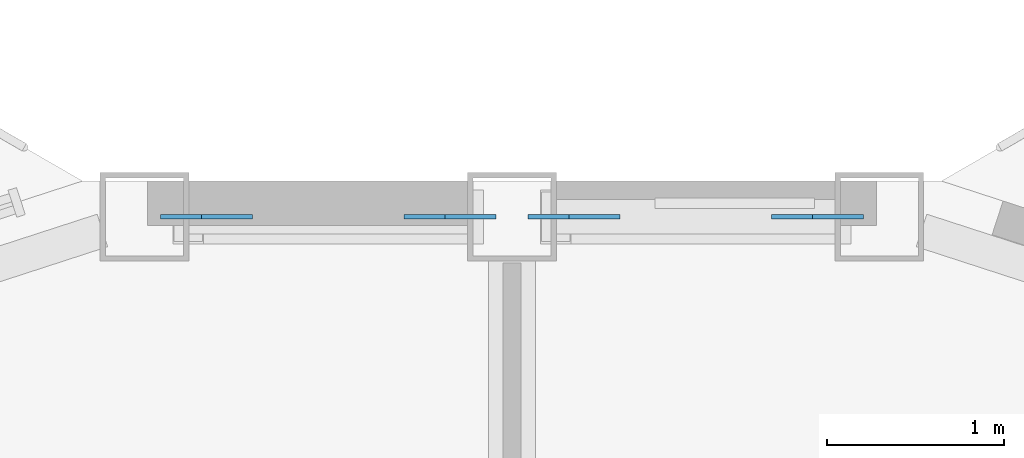
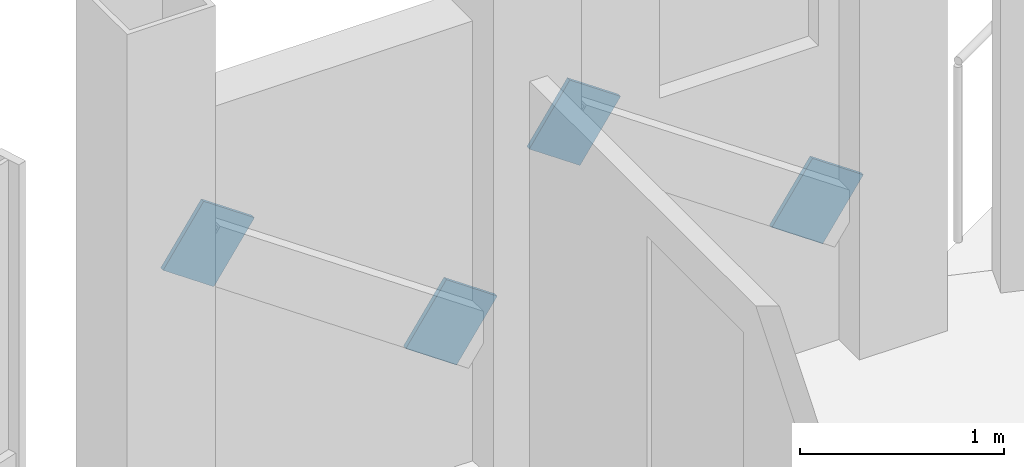
# One storey, part 21 of 26: 4 discrete accessories.
"""IFC4 building model written with IfcOpenShell, lengths in metres."""

from ifc_helpers import new_model, si_unit, direction, frame, origin, origin_2d, place, context, subcontext, project, spatial, rectangle, extrude, material, material_profile, profile_set, type_object, element, save


model = new_model("IFC4")

# Units and contexts
model_context = context("Model", 3, precision=1e-05, world=origin(), true_north=direction((0.0, 1.0)))
body_context = subcontext(model_context, "Body", "Model", "MODEL_VIEW")
ifc_project = project(units=[si_unit("LENGTHUNIT", "METRE"), si_unit("AREAUNIT", "SQUARE_METRE"), si_unit("VOLUMEUNIT", "CUBIC_METRE"), si_unit("PLANEANGLEUNIT", "RADIAN"), si_unit("MASSUNIT", "GRAM", prefix="KILO")], contexts=[model_context])

# Site, building, storey
site_placement = place(None, origin())
site = spatial("IfcSite", under=ifc_project, at=site_placement, CompositionType="ELEMENT")
building_placement = place(site_placement, origin())
building = spatial("IfcBuilding", under=site, at=building_placement, Name="Cormorant Prow Tower", CompositionType="ELEMENT")
storey_placement = place(building_placement, frame((0.0, 0.0, 381.39990234375)))
storey = spatial("IfcBuildingStorey", under=building, at=storey_placement, Name="L86", CompositionType="ELEMENT", Elevation=381.39990234375)

# Discrete accessories
ifc_material = material(Name="Structural steel ASTM A500 Gr C", Category="steel")
ifc_material_profile = material_profile(ifc_material, rectangle(XDim=0.02490234375, YDim=0.405029296875, at=origin_2d()), Name="Gusset plate 25x405")
ifc_profile_set = profile_set([ifc_material_profile], Name="Structural steel ASTM A500 Gr C")
discrete_accessory_type = type_object("IfcDiscreteAccessoryType", Name="Gusset plate 25x405", PredefinedType="BRACKET", material=ifc_profile_set)
discrete_accessory_1_placement = place(storey_placement, frame((1.580322265625, 31.219482421875, 0.94140625), z_axis=(0.82226750666, 0.0, -0.569101175093), x_axis=(0.0, 1.0, 0.0)))
element("IfcDiscreteAccessory", 1, at=discrete_accessory_1_placement, inside=storey, type_object=discrete_accessory_type, Name="Gusset plate GP3 L86.N00.g0", PredefinedType="BRACKET", context=body_context, shape_type="SweptSolid", body=[
    extrude(rectangle(XDim=0.02490234375, YDim=0.405029296875, at=origin_2d()), origin(), (0.0, 0.0, 1.0), 0.35009765625),
])
discrete_accessory_2_placement = place(storey_placement, frame((0.493408203125, 31.219482421875, 1.69287109375), z_axis=(-0.822593864641, 0.0, 0.568629346635), x_axis=(0.0, -1.0, 0.0)))
element("IfcDiscreteAccessory", 2, at=discrete_accessory_2_placement, inside=storey, type_object=discrete_accessory_type, Name="Gusset plate GP3 L86.N00.g1", PredefinedType="BRACKET", context=body_context, shape_type="SweptSolid", body=[
    extrude(rectangle(XDim=0.02490234375, YDim=0.405029296875, at=origin_2d()), origin(), (0.0, 0.0, 1.0), 0.349853515625),
])
discrete_accessory_3_placement = place(storey_placement, frame((-0.493408203125, 31.219482421875, 0.94140625), z_axis=(0.82226750666, 0.0, -0.569101175093), x_axis=(0.0, 1.0, 0.0)))
element("IfcDiscreteAccessory", 3, at=discrete_accessory_3_placement, inside=storey, type_object=discrete_accessory_type, Name="Gusset plate GP3 L86.N01.g0", PredefinedType="BRACKET", context=body_context, shape_type="SweptSolid", body=[
    extrude(rectangle(XDim=0.02490234375, YDim=0.405029296875, at=origin_2d()), origin(), (0.0, 0.0, 1.0), 0.35009765625),
])
discrete_accessory_4_placement = place(storey_placement, frame((-1.580322265625, 31.219482421875, 1.69287109375), z_axis=(-0.822593864641, 0.0, 0.568629346635), x_axis=(0.0, -1.0, 0.0)))
element("IfcDiscreteAccessory", 4, at=discrete_accessory_4_placement, inside=storey, type_object=discrete_accessory_type, Name="Gusset plate GP3 L86.N01.g1", PredefinedType="BRACKET", context=body_context, shape_type="SweptSolid", body=[
    extrude(rectangle(XDim=0.02490234375, YDim=0.405029296875, at=origin_2d()), origin(), (0.0, 0.0, 1.0), 0.349853515625),
])

save(model, "model.ifc")
